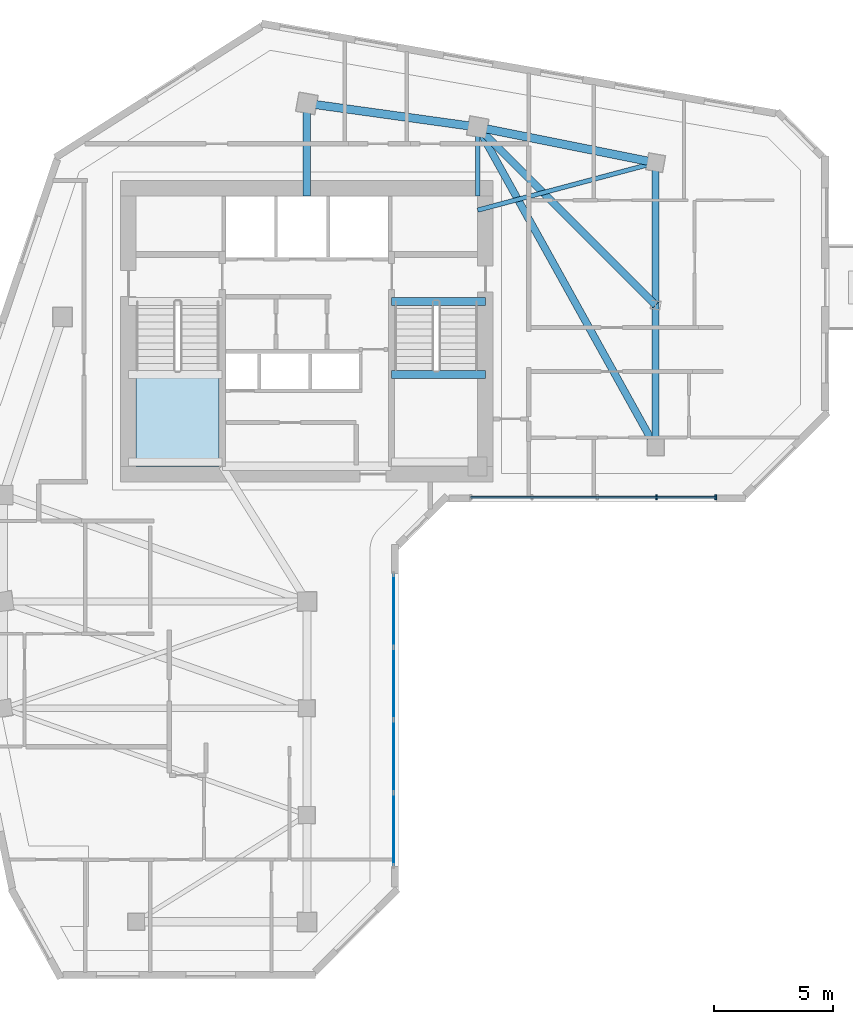
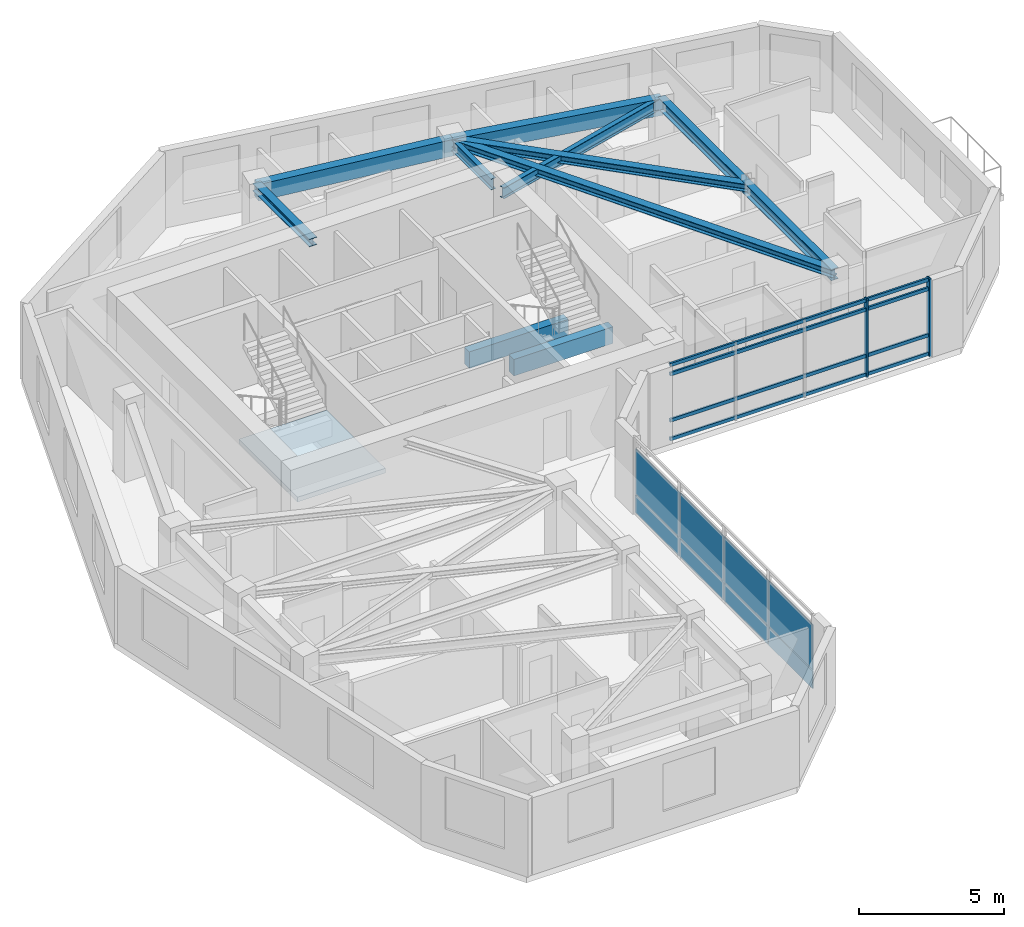
# One storey, part 2 of 10: 10 beams, 8 plates, 6 members, 1 slab, 3 elements without a shape of their own.
"""IFC4 building model written with IfcOpenShell, lengths in metres."""

from ifc_helpers import new_model, si_unit, direction, frame, frame_2d, origin, origin_2d, place, context, subcontext, project, spatial, polyline, rectangle, i_section, outline, extrude, source, transform, mapped, material, layer, layer_set, material_profile, profile_set, type_object, element, aggregate, save


model = new_model("IFC4")

# Units and contexts
model_context = context("Model", 3, precision=1e-05, world=origin(), true_north=direction((0.0, 1.0)))
body_context = subcontext(model_context, "Body", "Model", "MODEL_VIEW")
ifc_project = project(units=[si_unit("LENGTHUNIT", "METRE"), si_unit("AREAUNIT", "SQUARE_METRE"), si_unit("VOLUMEUNIT", "CUBIC_METRE"), si_unit("PLANEANGLEUNIT", "RADIAN"), si_unit("MASSUNIT", "GRAM", prefix="KILO")], contexts=[model_context])

# Site, building, storey
site_placement = place(None, origin())
site = spatial("IfcSite", under=ifc_project, at=site_placement, CompositionType="ELEMENT")
building_placement = place(site_placement, origin())
building = spatial("IfcBuilding", under=site, at=building_placement, Name="Calvemar Wedge Station Tower", CompositionType="ELEMENT")
storey_placement = place(building_placement, frame((0.0, 0.0, 218.39990234375)))
storey = spatial("IfcBuildingStorey", under=building, at=storey_placement, Name="L55", CompositionType="ELEMENT", Elevation=218.39990234375)

# Beams
ifc_material_1 = material(Name="Structural steel ASTM A572 Grade 50", Category="steel")
ifc_material_profile_1 = material_profile(ifc_material_1, i_section(OverallWidth=0.30908203125, OverallDepth=0.322998046875, WebThickness=0.013916015625, FlangeThickness=0.02294921875, FilletRadius=0.014892578125, at=origin_2d()), Name="W310x143")
ifc_profile_set_1 = profile_set([ifc_material_profile_1], Name="Structural steel ASTM A572 Grade 50")
beam_type_1 = type_object("IfcBeamType", Name="BM-J5-W310H", PredefinedType="JOIST", material=ifc_profile_set_1)
shared_shape_1 = source(origin(), body_context, "Body", "SweptSolid", [
    extrude(i_section(OverallWidth=0.30908203125, OverallDepth=0.322998046875, WebThickness=0.013916015625, FlangeThickness=0.02294921875, FilletRadius=0.014892578125, at=origin_2d()), origin(), (0.0, 0.0, 1.0), 15.443359375),
])
beam_1_placement = place(storey_placement, frame((31.0, 48.5, 3.088623046875), z_axis=(0.485642931179, -0.874157276122, 0.0), x_axis=(0.874157276122, 0.485642931179, 0.0)))
element("IfcBeam", 1, at=beam_1_placement, inside=storey, type_object=beam_type_1, Name="Storey L55 Floor Beam T-N2-T-NL2", PredefinedType="JOIST", context=body_context, shape_type="MappedRepresentation", body=[
    mapped(shared_shape_1, transform((0.0, 0.0, 0.0), scale=1.0)),
])
ifc_material_profile_2 = material_profile(ifc_material_1, i_section(OverallWidth=0.19189453125, OverallDepth=0.462890625, WebThickness=0.010498046875, FlangeThickness=0.017578125, FilletRadius=0.012939453125, at=origin_2d()), Name="W460x89")
ifc_profile_set_2 = profile_set([ifc_material_profile_2], Name="Structural steel ASTM A572 Grade 50")
beam_type_2 = type_object("IfcBeamType", Name="BM-J1-W460", PredefinedType="JOIST", material=ifc_profile_set_2)
shared_shape_2 = source(origin(), body_context, "Body", "SweptSolid", [
    extrude(i_section(OverallWidth=0.19189453125, OverallDepth=0.462890625, WebThickness=0.010498046875, FlangeThickness=0.017578125, FilletRadius=0.012939453125, at=origin_2d()), origin(), (0.0, 0.0, 1.0), 7.76220703125),
])
beam_2_placement = place(storey_placement, frame((31.0, 45.0, 3.0185546875), z_axis=(0.966234939601, 0.25766265056, 0.0), x_axis=(-0.25766265056, 0.966234939601, 0.0)))
element("IfcBeam", 2, at=beam_2_placement, inside=storey, type_object=beam_type_2, Name="Storey L55 Core-to-Column Joist CJ-E2", PredefinedType="JOIST", context=body_context, shape_type="MappedRepresentation", body=[
    mapped(shared_shape_2, transform((0.0, 0.0, 0.0), scale=1.0)),
])
shared_shape_3 = source(origin(), body_context, "Body", "SweptSolid", [
    extrude(i_section(OverallWidth=0.30908203125, OverallDepth=0.322998046875, WebThickness=0.013916015625, FlangeThickness=0.02294921875, FilletRadius=0.014892578125, at=origin_2d()), origin(), (0.0, 0.0, 1.0), 3.89990234375),
])
beam_3_placement = place(storey_placement, frame((23.800048828125, 45.60009765625, 3.088623046875), z_axis=(0.0, 1.0, 0.0), x_axis=(-1.0, 0.0, 0.0)))
element("IfcBeam", 3, at=beam_3_placement, inside=storey, type_object=beam_type_1, Name="Storey L55 Core-to-Column Joist CJ-N1", PredefinedType="JOIST", context=body_context, shape_type="MappedRepresentation", body=[
    mapped(shared_shape_3, transform((0.0, 0.0, 0.0), scale=1.0)),
])
shared_shape_4 = source(origin(), body_context, "Body", "SweptSolid", [
    extrude(i_section(OverallWidth=0.19189453125, OverallDepth=0.462890625, WebThickness=0.010498046875, FlangeThickness=0.017578125, FilletRadius=0.012939453125, at=origin_2d()), origin(), (0.0, 0.0, 1.0), 2.89990234375),
])
beam_4_placement = place(storey_placement, frame((31.0, 45.60009765625, 3.0185546875), z_axis=(0.0, 1.0, 0.0), x_axis=(-1.0, 0.0, 0.0)))
element("IfcBeam", 4, at=beam_4_placement, inside=storey, type_object=beam_type_2, Name="Storey L55 Core-to-Column Joist CJ-N2", PredefinedType="JOIST", context=body_context, shape_type="MappedRepresentation", body=[
    mapped(shared_shape_4, transform((0.0, 0.0, 0.0), scale=1.0)),
])
shared_shape_5 = source(origin(), body_context, "Body", "SweptSolid", [
    extrude(i_section(OverallWidth=0.30908203125, OverallDepth=0.322998046875, WebThickness=0.013916015625, FlangeThickness=0.02294921875, FilletRadius=0.014892578125, at=origin_2d()), origin(), (0.0, 0.0, 1.0), 10.606689453125),
])
beam_5_placement = place(storey_placement, frame((38.5, 41.0, 3.088623046875), z_axis=(-0.707106781187, 0.707106781187, 0.0), x_axis=(-0.707106781187, -0.707106781187, 0.0)))
element("IfcBeam", 5, at=beam_5_placement, inside=storey, type_object=beam_type_1, Name="Storey L55 Floor Beam T-NTIP-B-T-N2", PredefinedType="JOIST", context=body_context, shape_type="MappedRepresentation", body=[
    mapped(shared_shape_5, transform((0.0, 0.0, 0.0), scale=1.0)),
])
ifc_material_2 = material(Name="Concrete C70", Category="concrete")
ifc_material_profile_3 = material_profile(ifc_material_2, rectangle(XDim=0.35009765625, YDim=0.699951171875, at=origin_2d()), Name="RC350x700")
ifc_profile_set_3 = profile_set([ifc_material_profile_3], Name="Concrete C70")
beam_type_3 = type_object("IfcBeamType", Name="BM-LN1-700", PredefinedType="LINTEL", material=ifc_profile_set_3)
shared_shape_6 = source(origin(), body_context, "Body", "SweptSolid", [
    extrude(rectangle(XDim=0.35009765625, YDim=0.699951171875, at=origin_2d()), origin(), (0.0, 0.0, 1.0), 3.954833984375),
])
for number, where, z_axis, x_axis, name in (
    (6, (27.3701171875, 41.14990234375, -0.349853515625), (1.0, 0.0, 0.0), (0.0, 1.0, 0.0), "Storey L55 Stair ST-C2 Landing Trimmer Beam"),
    (7, (27.3701171875, 38.070068359375, 1.2001953125), (1.0, 0.0, 0.0), (0.0, 1.0, 0.0), "Storey L55 Stair ST-C2 Half-Landing Beam 1B"),
):
    element("IfcBeam", number, at=place(storey_placement, frame(where, z_axis=z_axis, x_axis=x_axis)), inside=storey, type_object=beam_type_3, Name=name, PredefinedType="LINTEL", context=body_context, shape_type="MappedRepresentation", body=[
        mapped(shared_shape_6, transform((0.0, 0.0, 0.0), scale=1.0)),
    ])
ifc_material_3 = material(Name="Concrete C50", Category="concrete")
ifc_material_profile_4 = material_profile(ifc_material_3, rectangle(XDim=0.35009765625, YDim=0.699951171875, at=origin_2d()), Name="RC350x700")
ifc_profile_set_4 = profile_set([ifc_material_profile_4], Name="Concrete C50")
beam_type_4 = type_object("IfcBeamType", Name="BM-SP2-700", PredefinedType="SPANDREL", material=ifc_profile_set_4)
shared_shape_7 = source(origin(), body_context, "Body", "SweptSolid", [
    extrude(rectangle(XDim=0.35009765625, YDim=0.699951171875, at=origin_2d()), origin(), (0.0, 0.0, 1.0), 7.26904296875),
])
beam_6_placement = place(storey_placement, frame((23.800048828125, 49.5, 2.900146484375), z_axis=(0.990492146053, -0.13756928657, 0.0), x_axis=(0.13756928657, 0.990492146053, 0.0)))
element("IfcBeam", 8, at=beam_6_placement, inside=storey, type_object=beam_type_4, Name="Storey L55 Spandrel T-N1-T-N2", PredefinedType="SPANDREL", context=body_context, shape_type="MappedRepresentation", body=[
    mapped(shared_shape_7, transform((0.0, 0.0, 0.0), scale=1.0)),
])
shared_shape_8 = source(origin(), body_context, "Body", "SweptSolid", [
    extrude(rectangle(XDim=0.35009765625, YDim=0.699951171875, at=origin_2d()), origin(), (0.0, 0.0, 1.0), 7.6484375),
])
beam_7_placement = place(storey_placement, frame((31.0, 48.5, 2.900146484375), z_axis=(0.980580675691, -0.196116135138, 0.0), x_axis=(0.196116135138, 0.980580675691, 0.0)))
element("IfcBeam", 9, at=beam_7_placement, inside=storey, type_object=beam_type_4, Name="Storey L55 Spandrel T-N2-T-NU3", PredefinedType="SPANDREL", context=body_context, shape_type="MappedRepresentation", body=[
    mapped(shared_shape_8, transform((0.0, 0.0, 0.0), scale=1.0)),
])
ifc_material_profile_5 = material_profile(ifc_material_1, i_section(OverallWidth=0.283935546875, OverallDepth=0.47607421875, WebThickness=0.014892578125, FlangeThickness=0.02392578125, FilletRadius=0.014892578125, at=origin_2d()), Name="W460x158")
ifc_profile_set_5 = profile_set([ifc_material_profile_5], Name="Structural steel ASTM A572 Grade 50")
beam_type_5 = type_object("IfcBeamType", Name="BM-SB5-W460H", PredefinedType="BEAM", material=ifc_profile_set_5)
shared_shape_9 = source(origin(), body_context, "Body", "SweptSolid", [
    extrude(i_section(OverallWidth=0.283935546875, OverallDepth=0.47607421875, WebThickness=0.014892578125, FlangeThickness=0.02392578125, FilletRadius=0.014892578125, at=origin_2d()), origin(), (0.0, 0.0, 1.0), 12.0),
])
beam_8_placement = place(storey_placement, frame((38.5, 47.0, 3.01220703125), z_axis=(0.0, -1.0, 0.0), x_axis=(1.0, 0.0, 0.0)))
element("IfcBeam", 10, at=beam_8_placement, inside=storey, type_object=beam_type_5, Name="Storey L55 Floor Beam T-NU3-T-NL2", PredefinedType="BEAM", context=body_context, shape_type="MappedRepresentation", body=[
    mapped(shared_shape_9, transform((0.0, 0.0, 0.0), scale=1.0)),
])

# Curtain wall, members
ifc_material_4 = material(Name="Anodised aluminium 6063-T6", Category="aluminium")
curtain_wall_type = type_object("IfcCurtainWallType", Name="CW3", PredefinedType="NOTDEFINED", material=ifc_material_4)
curtain_wall_1_placement = place(storey_placement, origin())
curtain_wall_1 = element("IfcCurtainWall", 11, at=curtain_wall_1_placement, inside=storey, type_object=curtain_wall_type, Name="Storey L55 CW3 Recessed Unitised Curtain Wall 6", PredefinedType="NOTDEFINED")
ifc_material_profile_6 = material_profile(ifc_material_4, rectangle(XDim=0.074951171875, YDim=0.2099609375, at=origin_2d()), Name="AL-MUL-75x210")
ifc_profile_set_6 = profile_set([ifc_material_profile_6], Name="Anodised aluminium 6063-T6")
member_type_1 = type_object("IfcMemberType", Name="CW3-MUL", PredefinedType="MULLION", material=ifc_profile_set_6)
shared_shape_10 = source(origin(), body_context, "Body", "SweptSolid", [
    extrude(rectangle(XDim=0.074951171875, YDim=0.2099609375, at=origin_2d()), origin(), (0.0, 0.0, 1.0), 3.2998046875),
])
member_1_placement = place(storey_placement, frame((38.5390625, 32.902099609375, -0.0498046875), z_axis=(0.0, 0.0, 1.0), x_axis=(1.0, 0.0, 0.0)))
member_1 = element("IfcMember", 12, at=member_1_placement, type_object=member_type_1, Name="CW3 mullion 4", PredefinedType="MULLION", context=body_context, shape_type="MappedRepresentation", body=[
    mapped(shared_shape_10, transform((0.0, 0.0, 0.0), scale=1.0)),
])
member_2_placement = place(storey_placement, frame((41.037841796875, 32.902099609375, -0.0498046875), z_axis=(0.0, 0.0, 1.0), x_axis=(1.0, 0.0, 0.0)))
member_2 = element("IfcMember", 13, at=member_2_placement, type_object=member_type_1, Name="CW3 mullion 5", PredefinedType="MULLION", context=body_context, shape_type="MappedRepresentation", body=[
    mapped(shared_shape_10, transform((0.0, 0.0, 0.0), scale=1.0)),
])
ifc_material_profile_7 = material_profile(ifc_material_4, rectangle(XDim=0.074951171875, YDim=0.14501953125, at=origin_2d()), Name="AL-TRN-75x145")
ifc_profile_set_7 = profile_set([ifc_material_profile_7], Name="Anodised aluminium 6063-T6")
member_type_2 = type_object("IfcMemberType", Name="CW3-TRN", PredefinedType="USERDEFINED", material=ifc_profile_set_7)
shared_shape_11 = source(origin(), body_context, "Body", "SweptSolid", [
    extrude(rectangle(XDim=0.074951171875, YDim=0.14501953125, at=origin_2d()), origin(), (0.0, 0.0, 1.0), 10.3359375),
])
member_3_placement = place(storey_placement, frame((30.701904296875, 32.902099609375, 0.06005859375), z_axis=(1.0, 0.0, 0.0), x_axis=(0.0, 1.0, 0.0)))
member_3 = element("IfcMember", 14, at=member_3_placement, type_object=member_type_2, Name="CW3 transom 1", ObjectType="TRANSOM", PredefinedType="USERDEFINED", context=body_context, shape_type="MappedRepresentation", body=[
    mapped(shared_shape_11, transform((0.0, 0.0, 0.0), scale=1.0)),
])
member_4_placement = place(storey_placement, frame((30.701904296875, 32.902099609375, 0.85009765625), z_axis=(1.0, 0.0, 0.0), x_axis=(0.0, 1.0, 0.0)))
member_4 = element("IfcMember", 15, at=member_4_placement, type_object=member_type_2, Name="CW3 transom 2", ObjectType="TRANSOM", PredefinedType="USERDEFINED", context=body_context, shape_type="MappedRepresentation", body=[
    mapped(shared_shape_11, transform((0.0, 0.0, 0.0), scale=1.0)),
])
member_5_placement = place(storey_placement, frame((30.701904296875, 32.902099609375, 2.800048828125), z_axis=(1.0, 0.0, 0.0), x_axis=(0.0, 1.0, 0.0)))
member_5 = element("IfcMember", 16, at=member_5_placement, type_object=member_type_2, Name="CW3 transom 3", ObjectType="TRANSOM", PredefinedType="USERDEFINED", context=body_context, shape_type="MappedRepresentation", body=[
    mapped(shared_shape_11, transform((0.0, 0.0, 0.0), scale=1.0)),
])
member_6_placement = place(storey_placement, frame((30.701904296875, 32.902099609375, 3.190185546875), z_axis=(1.0, 0.0, 0.0), x_axis=(0.0, 1.0, 0.0)))
member_6 = element("IfcMember", 17, at=member_6_placement, type_object=member_type_2, Name="CW3 transom 4", ObjectType="TRANSOM", PredefinedType="USERDEFINED", context=body_context, shape_type="MappedRepresentation", body=[
    mapped(shared_shape_11, transform((0.0, 0.0, 0.0), scale=1.0)),
])
aggregate(curtain_wall_1, [member_1, member_2, member_3, member_4, member_5, member_6])

# Curtain wall, plates
curtain_wall_2_placement = place(storey_placement, origin())
curtain_wall_2 = element("IfcCurtainWall", 18, at=curtain_wall_2_placement, inside=storey, type_object=curtain_wall_type, Name="Storey L55 CW3 Recessed Unitised Curtain Wall 4", PredefinedType="NOTDEFINED")
ifc_material_5 = material(Name="Low-E laminated insulated glass", Category="glass")
ifc_layer_1 = layer(ifc_material_5, 0.028076171875)
ifc_layer_set_1 = layer_set([ifc_layer_1], Name="Low-E laminated insulated glass")
plate_type_1 = type_object("IfcPlateType", Name="CW3-GLZ", PredefinedType="CURTAIN_PANEL", material=ifc_layer_set_1)
plate_1_placement = place(storey_placement, frame((27.4541015625, 17.380126953125, 0.8701171875), z_axis=(0.0, 0.0, 1.0), x_axis=(0.0, 1.0, 0.0)))
plate_1 = element("IfcPlate", 19, at=plate_1_placement, type_object=plate_type_1, Name="CW3 vision glass panel 1", PredefinedType="CURTAIN_PANEL", context=body_context, shape_type="SweptSolid", body=[
    extrude(rectangle(XDim=3.036865234375, YDim=0.028076171875, at=frame_2d((1.5185546875, 0.0))), origin(), (0.0, 0.0, 1.0), 1.909912109375),
])
plate_2_placement = place(storey_placement, frame((27.4541015625, 20.453125, 0.8701171875), z_axis=(0.0, 0.0, 1.0), x_axis=(0.0, 1.0, 0.0)))
plate_2 = element("IfcPlate", 20, at=plate_2_placement, type_object=plate_type_1, Name="CW3 vision glass panel 2", PredefinedType="CURTAIN_PANEL", context=body_context, shape_type="SweptSolid", body=[
    extrude(rectangle(XDim=3.036865234375, YDim=0.028076171875, at=frame_2d((1.5185546875, 0.0))), origin(), (0.0, 0.0, 1.0), 1.909912109375),
])
plate_3_placement = place(storey_placement, frame((27.4541015625, 23.526123046875, 0.8701171875), z_axis=(0.0, 0.0, 1.0), x_axis=(0.0, 1.0, 0.0)))
plate_3 = element("IfcPlate", 21, at=plate_3_placement, type_object=plate_type_1, Name="CW3 vision glass panel 3", PredefinedType="CURTAIN_PANEL", context=body_context, shape_type="SweptSolid", body=[
    extrude(rectangle(XDim=3.036865234375, YDim=0.028076171875, at=frame_2d((1.5185546875, 0.0))), origin(), (0.0, 0.0, 1.0), 1.909912109375),
])
plate_4_placement = place(storey_placement, frame((27.4541015625, 26.59912109375, 0.8701171875), z_axis=(0.0, 0.0, 1.0), x_axis=(0.0, 1.0, 0.0)))
plate_4 = element("IfcPlate", 22, at=plate_4_placement, type_object=plate_type_1, Name="CW3 vision glass panel 4", PredefinedType="CURTAIN_PANEL", context=body_context, shape_type="SweptSolid", body=[
    extrude(rectangle(XDim=3.036865234375, YDim=0.028076171875, at=frame_2d((1.5185546875, 0.0))), origin(), (0.0, 0.0, 1.0), 1.909912109375),
])
ifc_material_6 = material(Name="Oxidized bronze aluminium spandrel panel 5005-H24", Category="aluminium")
ifc_layer_2 = layer(ifc_material_6, 0.0400390625)
ifc_layer_set_2 = layer_set([ifc_layer_2], Name="Oxidized bronze aluminium spandrel panel 5005-H24")
plate_type_2 = type_object("IfcPlateType", Name="CW3-SPD", PredefinedType="SHEET", material=ifc_layer_set_2)
plate_5_placement = place(storey_placement, frame((27.4541015625, 17.380126953125, 0.080078125), z_axis=(0.0, 0.0, 1.0), x_axis=(0.0, 1.0, 0.0)))
plate_5 = element("IfcPlate", 23, at=plate_5_placement, type_object=plate_type_2, Name="CW3 bronze spandrel panel 1", PredefinedType="SHEET", context=body_context, shape_type="SweptSolid", body=[
    extrude(rectangle(XDim=3.036865234375, YDim=0.0400390625, at=frame_2d((1.5185546875, 0.0))), origin(), (0.0, 0.0, 1.0), 0.75),
])
plate_6_placement = place(storey_placement, frame((27.4541015625, 20.453125, 0.080078125), z_axis=(0.0, 0.0, 1.0), x_axis=(0.0, 1.0, 0.0)))
plate_6 = element("IfcPlate", 24, at=plate_6_placement, type_object=plate_type_2, Name="CW3 bronze spandrel panel 2", PredefinedType="SHEET", context=body_context, shape_type="SweptSolid", body=[
    extrude(rectangle(XDim=3.036865234375, YDim=0.0400390625, at=frame_2d((1.5185546875, 0.0))), origin(), (0.0, 0.0, 1.0), 0.75),
])
plate_7_placement = place(storey_placement, frame((27.4541015625, 23.526123046875, 0.080078125), z_axis=(0.0, 0.0, 1.0), x_axis=(0.0, 1.0, 0.0)))
plate_7 = element("IfcPlate", 25, at=plate_7_placement, type_object=plate_type_2, Name="CW3 bronze spandrel panel 3", PredefinedType="SHEET", context=body_context, shape_type="SweptSolid", body=[
    extrude(rectangle(XDim=3.036865234375, YDim=0.0400390625, at=frame_2d((1.5185546875, 0.0))), origin(), (0.0, 0.0, 1.0), 0.75),
])
plate_8_placement = place(storey_placement, frame((27.4541015625, 26.59912109375, 0.080078125), z_axis=(0.0, 0.0, 1.0), x_axis=(0.0, 1.0, 0.0)))
plate_8 = element("IfcPlate", 26, at=plate_8_placement, type_object=plate_type_2, Name="CW3 bronze spandrel panel 4", PredefinedType="SHEET", context=body_context, shape_type="SweptSolid", body=[
    extrude(rectangle(XDim=3.036865234375, YDim=0.0400390625, at=frame_2d((1.5185546875, 0.0))), origin(), (0.0, 0.0, 1.0), 0.75),
])
aggregate(curtain_wall_2, [plate_5, plate_1, plate_6, plate_2, plate_7, plate_3, plate_8, plate_4])

# Stair, slab
ifc_material_7 = material(Name="Concrete C45", Category="concrete")
stair_type = type_object("IfcStairType", Name="ST-TYPE-3500", PredefinedType="HALF_TURN_STAIR", material=ifc_material_7)
stair_placement = place(storey_placement, origin())
stair = element("IfcStair", 27, at=stair_placement, inside=storey, type_object=stair_type, Name="L55 Pressurized Core Exit Stair ST-C1", PredefinedType="HALF_TURN_STAIR")
ifc_layer_3 = layer(ifc_material_7, 0.199951171875)
ifc_layer_set_3 = layer_set([ifc_layer_3], Name="Concrete C45")
slab_type = type_object("IfcSlabType", Name="SL-STAIR-LND-200", PredefinedType="LANDING", material=ifc_layer_set_3)
slab_placement = place(storey_placement, frame((0.0, 0.0, 1.550048828125)))
slab = element("IfcSlab", 28, at=slab_placement, type_object=slab_type, Name="ST-C1 landing 1", PredefinedType="LANDING", context=body_context, shape_type="SweptSolid", body=[
    extrude(outline(polyline([(16.60009765625, 38.25), (16.60009765625, 34.199951171875), (20.10009765625, 34.199951171875), (20.10009765625, 38.25), (16.60009765625, 38.25)])), origin(), (0.0, 0.0, 1.0), 0.199951171875),
])
aggregate(stair, [slab])

save(model, "model.ifc")
